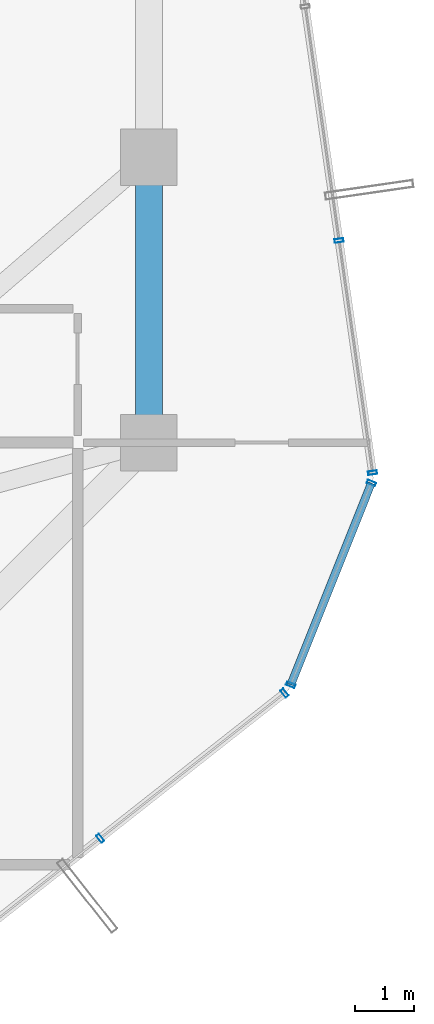
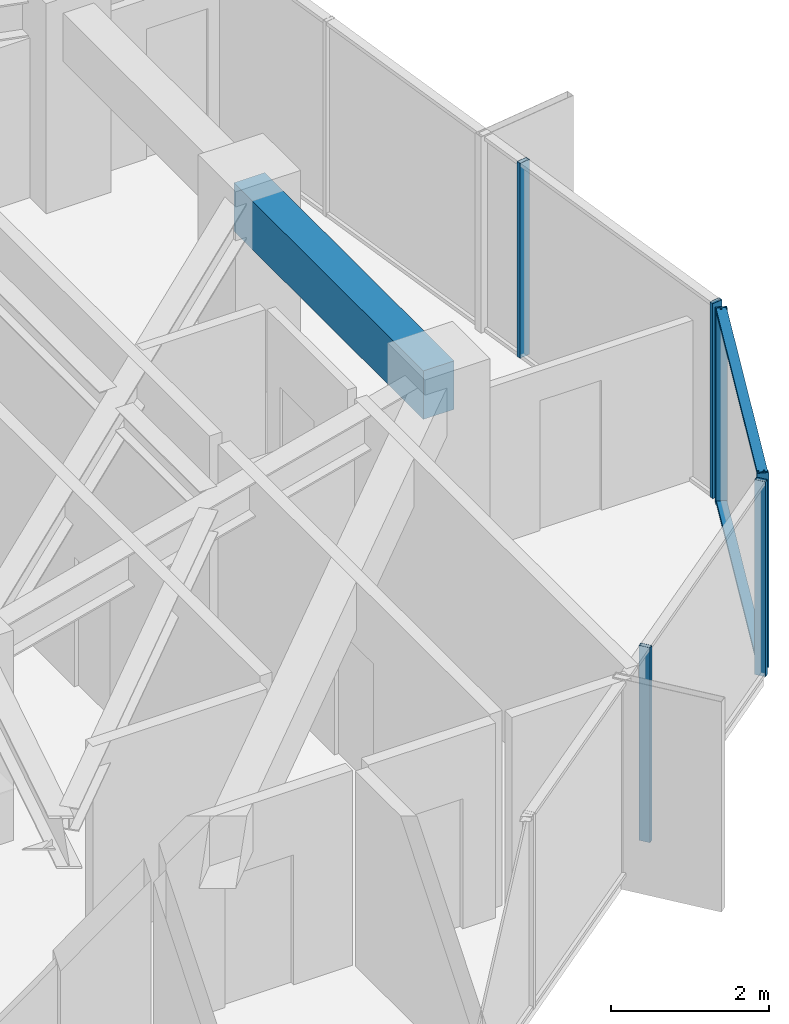
# One storey, part 16 of 31: 8 members, 1 beam, 3 elements without a shape of their own.
"""IFC4 building model written with IfcOpenShell, lengths in metres."""

from ifc_helpers import new_model, si_unit, direction, frame, origin, origin_2d, place, context, subcontext, project, spatial, rectangle, hollow_rectangle, extrude, source, transform, mapped, material, layer, layer_set, material_profile, profile_set, type_object, element, aggregate, save


model = new_model("IFC4")

# Units and contexts
model_context = context("Model", 3, precision=1e-05, world=origin(), true_north=direction((0.0, 1.0)))
body_context = subcontext(model_context, "Body", "Model", "MODEL_VIEW")
ifc_project = project(units=[si_unit("LENGTHUNIT", "METRE"), si_unit("AREAUNIT", "SQUARE_METRE"), si_unit("VOLUMEUNIT", "CUBIC_METRE"), si_unit("PLANEANGLEUNIT", "RADIAN"), si_unit("MASSUNIT", "GRAM", prefix="KILO")], contexts=[model_context])

# Site, building, storey
site_placement = place(None, origin())
site = spatial("IfcSite", under=ifc_project, at=site_placement, CompositionType="ELEMENT")
building_placement = place(site_placement, origin())
building = spatial("IfcBuilding", under=site, at=building_placement, Name="Veraguas Prism Commons", CompositionType="ELEMENT")
storey_placement = place(building_placement, frame((0.0, 0.0, 178.85009765625)))
storey = spatial("IfcBuildingStorey", under=building, at=storey_placement, Name="L50", CompositionType="ELEMENT", Elevation=178.85009765625)

# Beam
ifc_material_1 = material(Name="Concrete C50/60", Category="concrete")
ifc_material_profile_1 = material_profile(ifc_material_1, rectangle(XDim=0.449951171875, YDim=0.75, at=origin_2d()), Name="RC450X750")
ifc_profile_set_1 = profile_set([ifc_material_profile_1], Name="Concrete C50/60")
beam_type = type_object("IfcBeamType", Name="Perimeter Spandrel Upper RC 450x750", PredefinedType="SPANDREL", material=ifc_profile_set_1)
beam_placement = place(storey_placement, frame((38.89990234375, 19.199951171875, 2.639892578125), z_axis=(0.0, 1.0, 0.0), x_axis=(-1.0, 0.0, 0.0)))
element("IfcBeam", 1, at=beam_placement, inside=storey, type_object=beam_type, Name="Perimeter Spandrel Beam L50-SP01", PredefinedType="SPANDREL", context=body_context, shape_type="SweptSolid", body=[
    extrude(rectangle(XDim=0.449951171875, YDim=0.75, at=origin_2d()), origin(), (0.0, 0.0, 1.0), 4.800048828125),
])

# Curtain wall, members
ifc_material_2 = material(Name="Anodised aluminium EN AW-6063 T6", Category="aluminium")
ifc_layer = layer(ifc_material_2, 0.14990234375, Name="Unitised Flush Curtain Wall Zone 3", Category="aluminium")
ifc_layer_set = layer_set([ifc_layer], Name="Anodised aluminium EN AW-6063 T6")
curtain_wall_type = type_object("IfcCurtainWallType", Name="Unitised Flush Curtain Wall Zone 3", PredefinedType="NOTDEFINED", material=ifc_layer_set)
curtain_wall_1_placement = place(storey_placement, origin())
curtain_wall_1 = element("IfcCurtainWall", 2, at=curtain_wall_1_placement, inside=storey, type_object=curtain_wall_type, Name="Tower Facade Curtain Wall L50-F5", PredefinedType="NOTDEFINED")
ifc_material_profile_2 = material_profile(ifc_material_2, hollow_rectangle(XDim=0.06005859375, YDim=0.14990234375, WallThickness=0.0029296875, at=origin_2d()), Name="AL60X150X3")
ifc_profile_set_2 = profile_set([ifc_material_profile_2], Name="Anodised aluminium EN AW-6063 T6")
member_type_1 = type_object("IfcMemberType", Name="Curtain Wall Mullion Upper AL 60x150x3", PredefinedType="MULLION", material=ifc_profile_set_2)
shared_shape_1 = source(origin(), body_context, "Body", "SweptSolid", [
    extrude(hollow_rectangle(XDim=0.06005859375, YDim=0.14990234375, WallThickness=0.0029296875, at=origin_2d()), origin(), (0.0, 0.0, 1.0), 3.014892578125),
])
member_1_placement = place(storey_placement, frame((38.08056640625, 12.545654296875, 0.0), z_axis=(0.0, 0.0, 1.0), x_axis=(0.785642059854, 0.618681302278, 0.0)))
member_1 = element("IfcMember", 3, at=member_1_placement, type_object=member_type_1, Name="CW-Z3 Mullion 4", PredefinedType="MULLION", context=body_context, shape_type="MappedRepresentation", body=[
    mapped(shared_shape_1, transform((0.0, 0.0, 0.0), scale=1.0)),
])
member_2_placement = place(storey_placement, frame((41.180419921875, 14.98681640625, 0.0), z_axis=(0.0, 0.0, 1.0), x_axis=(0.785642059854, 0.618681302278, 0.0)))
member_2 = element("IfcMember", 4, at=member_2_placement, type_object=member_type_1, Name="CW-Z3 Mullion 5", PredefinedType="MULLION", context=body_context, shape_type="MappedRepresentation", body=[
    mapped(shared_shape_1, transform((0.0, 0.0, 0.0), scale=1.0)),
])
aggregate(curtain_wall_1, [member_1, member_2])

curtain_wall_2_placement = place(storey_placement, origin())
curtain_wall_2 = element("IfcCurtainWall", 5, at=curtain_wall_2_placement, inside=storey, type_object=curtain_wall_type, Name="Tower Facade Curtain Wall L50-F6", PredefinedType="NOTDEFINED")
member_3_placement = place(storey_placement, frame((42.660888671875, 18.6923828125, 0.0), z_axis=(0.0, 0.0, 1.0), x_axis=(-0.142972694692, 0.989726633254, 0.0)))
member_3 = element("IfcMember", 6, at=member_3_placement, type_object=member_type_1, Name="CW-Z3 Mullion 1", PredefinedType="MULLION", context=body_context, shape_type="MappedRepresentation", body=[
    mapped(shared_shape_1, transform((0.0, 0.0, 0.0), scale=1.0)),
])
member_4_placement = place(storey_placement, frame((42.0966796875, 22.597412109375, 0.0), z_axis=(0.0, 0.0, 1.0), x_axis=(-0.142972694692, 0.989726633254, 0.0)))
member_4 = element("IfcMember", 7, at=member_4_placement, type_object=member_type_1, Name="CW-Z3 Mullion 2", PredefinedType="MULLION", context=body_context, shape_type="MappedRepresentation", body=[
    mapped(shared_shape_1, transform((0.0, 0.0, 0.0), scale=1.0)),
])
aggregate(curtain_wall_2, [member_3, member_4])

curtain_wall_3_placement = place(storey_placement, origin())
curtain_wall_3 = element("IfcCurtainWall", 8, at=curtain_wall_3_placement, inside=storey, type_object=curtain_wall_type, Name="Chamfer Curtain Wall L50-C6", PredefinedType="NOTDEFINED")
member_5_placement = place(storey_placement, frame((41.284423828125, 15.1259765625, 0.0), z_axis=(0.0, 0.0, 1.0), x_axis=(0.371014536741, 0.928627058365, 0.0)))
member_5 = element("IfcMember", 9, at=member_5_placement, type_object=member_type_1, Name="CW-Z3 Mullion 1", PredefinedType="MULLION", context=body_context, shape_type="MappedRepresentation", body=[
    mapped(shared_shape_1, transform((0.0, 0.0, 0.0), scale=1.0)),
])
member_6_placement = place(storey_placement, frame((42.640380859375, 18.51953125, 0.0), z_axis=(0.0, 0.0, 1.0), x_axis=(0.371014536741, 0.928627058365, 0.0)))
member_6 = element("IfcMember", 10, at=member_6_placement, type_object=member_type_1, Name="CW-Z3 Mullion 2", PredefinedType="MULLION", context=body_context, shape_type="MappedRepresentation", body=[
    mapped(shared_shape_1, transform((0.0, 0.0, 0.0), scale=1.0)),
])
ifc_material_profile_3 = material_profile(ifc_material_2, hollow_rectangle(XDim=0.054931640625, YDim=0.135009765625, WallThickness=0.0029296875, at=origin_2d()), Name="AL55X135X3")
ifc_profile_set_3 = profile_set([ifc_material_profile_3], Name="Anodised aluminium EN AW-6063 T6")
member_type_2 = type_object("IfcMemberType", Name="Curtain Wall Transom Standard AL 55x135x3", PredefinedType="USERDEFINED", material=ifc_profile_set_3)
shared_shape_2 = source(origin(), body_context, "Body", "SweptSolid", [
    extrude(hollow_rectangle(XDim=0.054931640625, YDim=0.135009765625, WallThickness=0.0029296875, at=origin_2d()), origin(), (0.0, 0.0, 1.0), 3.654541015625),
])
member_7_placement = place(storey_placement, frame((41.284423828125, 15.1259765625, 0.02734375), z_axis=(0.371045098097, 0.928614847597, 0.0), x_axis=(0.0, 0.0, 1.0)))
member_7 = element("IfcMember", 11, at=member_7_placement, type_object=member_type_2, Name="CW-Z3 Transom 1", ObjectType="TRANSOM", PredefinedType="USERDEFINED", context=body_context, shape_type="MappedRepresentation", body=[
    mapped(shared_shape_2, transform((0.0, 0.0, 0.0), scale=1.0)),
])
member_8_placement = place(storey_placement, frame((41.284423828125, 15.1259765625, 2.9873046875), z_axis=(0.371045098097, 0.928614847597, 0.0), x_axis=(0.0, 0.0, 1.0)))
member_8 = element("IfcMember", 12, at=member_8_placement, type_object=member_type_2, Name="CW-Z3 Transom 2", ObjectType="TRANSOM", PredefinedType="USERDEFINED", context=body_context, shape_type="MappedRepresentation", body=[
    mapped(shared_shape_2, transform((0.0, 0.0, 0.0), scale=1.0)),
])
aggregate(curtain_wall_3, [member_5, member_6, member_7, member_8])

save(model, "model.ifc")
